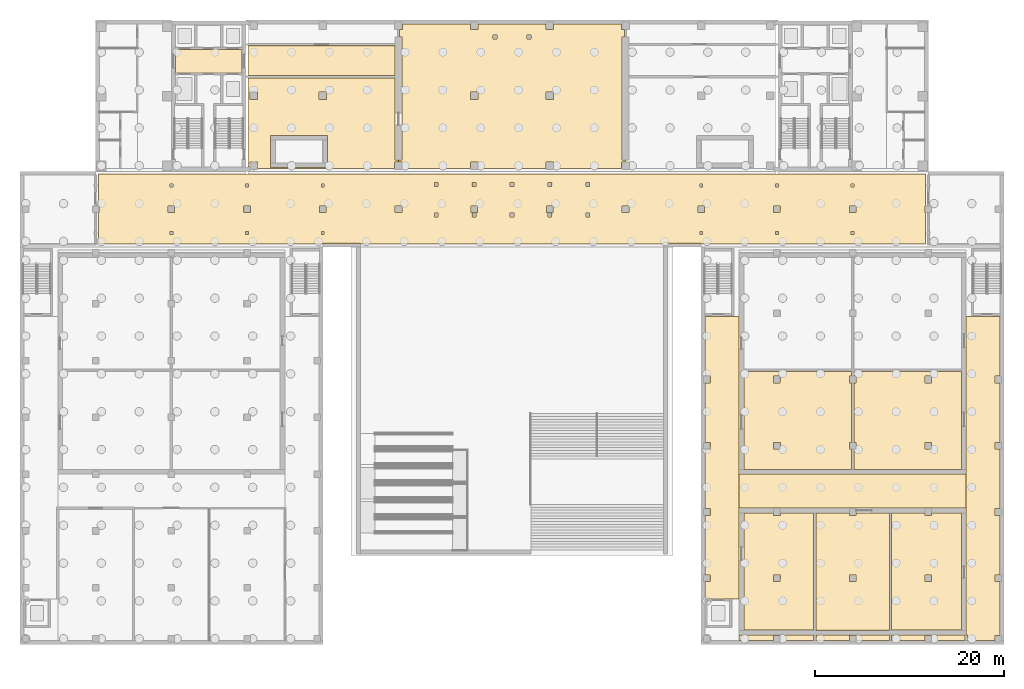
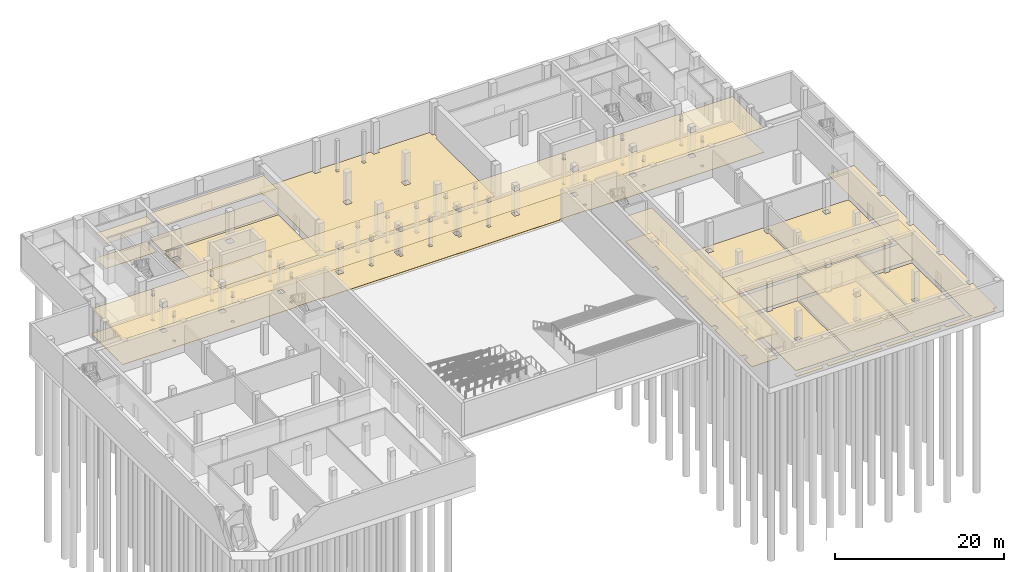
# One storey, part 15 of 21: 23 coverings.
"""IFC4 building model written with IfcOpenShell, lengths in metres."""

from ifc_helpers import new_model, si_unit, direction, frame, origin, place, context, subcontext, project, spatial, polyline, outline, extrude, material, layer, layer_set, type_object, element, save


model = new_model("IFC4")

# Units and contexts
model_context = context("Model", 3, precision=1e-05, world=origin(), true_north=direction((0.0, 1.0)))
body_context = subcontext(model_context, "Body", "Model", "MODEL_VIEW")
ifc_project = project(units=[si_unit("LENGTHUNIT", "METRE"), si_unit("AREAUNIT", "SQUARE_METRE"), si_unit("VOLUMEUNIT", "CUBIC_METRE"), si_unit("PLANEANGLEUNIT", "RADIAN"), si_unit("MASSUNIT", "GRAM", prefix="KILO")], contexts=[model_context])

# Site, building, storey
site_placement = place(None, origin())
site = spatial("IfcSite", under=ifc_project, at=site_placement, CompositionType="ELEMENT")
building_placement = place(site_placement, origin())
building = spatial("IfcBuilding", under=site, at=building_placement, Name="Lantern Court Media Centre", CompositionType="ELEMENT")
storey_placement = place(building_placement, frame((0.0, 0.0, -4.800048828125)))
storey = spatial("IfcBuildingStorey", under=building, at=storey_placement, Name="B1", CompositionType="ELEMENT", Elevation=-4.800048828125)

# Coverings
ifc_material_1 = material(Name="Carpet")
ifc_layer_1 = layer(ifc_material_1, 0.050048828125)
ifc_layer_set_1 = layer_set([ifc_layer_1], Name="Carpet")
covering_type_1 = type_object("IfcCoveringType", Name="Carpet floor finish", PredefinedType="FLOORING", material=ifc_layer_set_1)
covering_1_placement = place(storey_placement, origin())
element("IfcCovering", 1, at=covering_1_placement, inside=storey, type_object=covering_type_1, Name="Chiller Plant Room floor finish", PredefinedType="FLOORING", context=body_context, shape_type="SweptSolid", body=[
    extrude(outline(polyline([(76.5048828125, -0.4951171875), (76.5048828125, 11.89501953125), (79.64501953125, 11.89501953125), (79.64990234375, 11.64501953125), (80.3515625, 11.645263671875), (80.35498046875, 11.89501953125), (83.875, 11.89501953125), (83.875, -0.4951171875), (76.5048828125, -0.4951171875)]), holes=[polyline([(80.35009765625, 4.64501953125), (80.353515625, 5.353515625), (79.646484375, 5.353515625), (79.646484375, 4.646484375), (80.35009765625, 4.64501953125)])]), origin(), (0.0, 0.0, 1.0), 0.050048828125),
])
covering_2_placement = place(storey_placement, origin())
element("IfcCovering", 2, at=covering_2_placement, inside=storey, type_object=covering_type_1, Name="Chiller Plant Room floor finish", PredefinedType="FLOORING", context=body_context, shape_type="SweptSolid", body=[
    extrude(outline(polyline([(76.0, -1.0048828125), (83.875, -1.0048828125), (83.875, -1.594970703125), (80.35498046875, -1.594970703125), (80.35009765625, -1.044921875), (79.646728515625, -1.046142578125), (79.64501953125, -1.594970703125), (76.0, -1.594970703125), (76.0, -1.0048828125)])), origin(), (0.0, 0.0, 1.0), 0.050048828125),
])
covering_3_placement = place(storey_placement, origin())
element("IfcCovering", 3, at=covering_3_placement, inside=storey, type_object=covering_type_1, Name="Studio Hall Switchroom floor finish", PredefinedType="FLOORING", context=body_context, shape_type="SweptSolid", body=[
    extrude(outline(polyline([(84.125, -0.4951171875), (84.125, 11.89501953125), (87.64501953125, 11.89501953125), (87.64990234375, 11.64501953125), (88.3515625, 11.645263671875), (88.35498046875, 11.89501953125), (91.875, 11.89501953125), (91.875, -0.4951171875), (84.125, -0.4951171875)]), holes=[polyline([(88.35009765625, 4.64501953125), (88.353515625, 5.353515625), (87.646484375, 5.353515625), (87.646484375, 4.646484375), (88.35009765625, 4.64501953125)])]), origin(), (0.0, 0.0, 1.0), 0.050048828125),
])
covering_4_placement = place(storey_placement, origin())
element("IfcCovering", 4, at=covering_4_placement, inside=storey, type_object=covering_type_1, Name="Studio Hall Switchroom floor finish", PredefinedType="FLOORING", context=body_context, shape_type="SweptSolid", body=[
    extrude(outline(polyline([(88.35498046875, -1.594970703125), (88.35009765625, -1.044921875), (87.646728515625, -1.046142578125), (87.64501953125, -1.594970703125), (84.125, -1.594970703125), (84.125, -1.0048828125), (91.875, -1.0048828125), (91.875, -1.594970703125), (88.35498046875, -1.594970703125)])), origin(), (0.0, 0.0, 1.0), 0.050048828125),
])
covering_5_placement = place(storey_placement, origin())
element("IfcCovering", 5, at=covering_5_placement, inside=storey, type_object=covering_type_1, Name="UPS and Battery Room floor finish", PredefinedType="FLOORING", context=body_context, shape_type="SweptSolid", body=[
    extrude(outline(polyline([(99.4951171875, -0.4951171875), (92.125, -0.4951171875), (92.125, 11.89501953125), (95.64501953125, 11.89501953125), (95.64990234375, 11.64501953125), (96.3515625, 11.645263671875), (96.35498046875, 11.89501953125), (99.4951171875, 11.89501953125), (99.4951171875, -0.4951171875)]), holes=[polyline([(96.35009765625, 4.64501953125), (96.353515625, 5.353515625), (95.646484375, 5.353515625), (95.646484375, 4.646484375), (96.35009765625, 4.64501953125)])]), origin(), (0.0, 0.0, 1.0), 0.050048828125),
])
covering_6_placement = place(storey_placement, origin())
element("IfcCovering", 6, at=covering_6_placement, inside=storey, type_object=covering_type_1, Name="UPS and Battery Room floor finish", PredefinedType="FLOORING", context=body_context, shape_type="SweptSolid", body=[
    extrude(outline(polyline([(96.35498046875, -1.594970703125), (96.35009765625, -1.044921875), (95.646728515625, -1.046142578125), (95.64501953125, -1.594970703125), (92.125, -1.594970703125), (92.125, -1.0048828125), (99.875, -1.0048828125), (99.875, -1.594970703125), (96.35498046875, -1.594970703125)])), origin(), (0.0, 0.0, 1.0), 0.050048828125),
])
covering_7_placement = place(storey_placement, origin())
element("IfcCovering", 7, at=covering_7_placement, inside=storey, type_object=covering_type_1, Name="Standby Generator Hall floor finish", PredefinedType="FLOORING", context=body_context, shape_type="SweptSolid", body=[
    extrude(outline(polyline([(87.875, 26.875), (87.875, 26.35498046875), (87.64501953125, 26.35009765625), (87.645263671875, 25.6484375), (87.875, 25.64501953125), (87.875, 19.35498046875), (87.64501953125, 19.35009765625), (87.645263671875, 18.6484375), (87.875, 18.64501953125), (87.875, 16.5048828125), (76.5048828125, 16.5048828125), (76.5048828125, 26.875), (87.875, 26.875)]), holes=[polyline([(79.64501953125, 18.64990234375), (80.353515625, 18.646484375), (80.353515625, 19.353515625), (79.646484375, 19.353515625), (79.64501953125, 18.64990234375)]), polyline([(80.35009765625, 25.64501953125), (80.353515625, 26.353515625), (79.646484375, 26.353515625), (79.646484375, 25.646484375), (80.35009765625, 25.64501953125)])]), origin(), (0.0, 0.0, 1.0), 0.050048828125),
])
covering_8_placement = place(storey_placement, origin())
element("IfcCovering", 8, at=covering_8_placement, inside=storey, type_object=covering_type_1, Name="Studio Air Handling Plant Room floor finish", PredefinedType="FLOORING", context=body_context, shape_type="SweptSolid", body=[
    extrude(outline(polyline([(88.125, 18.64501953125), (88.35498046875, 18.64990234375), (88.354736328125, 19.3515625), (88.125, 19.35498046875), (88.125, 25.64501953125), (88.354736328125, 25.6484375), (88.35498046875, 26.35009765625), (88.125, 26.35498046875), (88.125, 26.875), (99.4951171875, 26.875), (99.4951171875, 16.5048828125), (88.125, 16.5048828125), (88.125, 18.64501953125)]), holes=[polyline([(96.35009765625, 18.64501953125), (96.353515625, 19.353515625), (95.646484375, 19.353515625), (95.646484375, 18.646484375), (96.35009765625, 18.64501953125)]), polyline([(96.35009765625, 25.64501953125), (96.353515625, 26.353515625), (95.646484375, 26.353515625), (95.646484375, 25.646484375), (96.35009765625, 25.64501953125)])]), origin(), (0.0, 0.0, 1.0), 0.050048828125),
])
covering_9_placement = place(storey_placement, origin())
element("IfcCovering", 9, at=covering_9_placement, inside=storey, type_object=covering_type_1, Name="Library Archive Vault floor finish", PredefinedType="FLOORING", context=body_context, shape_type="SweptSolid", body=[
    extrude(outline(polyline([(40.0, 49.0048828125), (39.595703125, 49.00244140625), (39.594970703125, 48.300048828125), (25.10498046875, 48.300048828125), (25.10009765625, 49.0048828125), (24.297607421875, 49.00439453125), (24.294921875, 48.455078125), (24.10009765625, 48.455078125), (24.10009765625, 57.85498046875), (39.64501953125, 57.85498046875), (39.64501953125, 49.199951171875), (40.0, 49.195068359375), (40.0, 49.0048828125)]), holes=[polyline([(26.4951171875, 48.39990234375), (32.50244140625, 48.3955078125), (32.50439453125, 51.80224609375), (26.49755859375, 51.804443359375), (26.4951171875, 48.39990234375)]), polyline([(31.594970703125, 55.60009765625), (32.403564453125, 55.596435546875), (32.403564453125, 56.403564453125), (31.596435546875, 56.403564453125), (31.594970703125, 55.60009765625)]), polyline([(25.10009765625, 55.594970703125), (25.103515625, 56.403564453125), (24.29638671875, 56.403564453125), (24.29638671875, 55.596435546875), (25.10009765625, 55.594970703125)])]), origin(), (0.0, 0.0, 1.0), 0.050048828125),
])
ifc_material_2 = material(Name="Stone", Category="masonry")
ifc_layer_2 = layer(ifc_material_2, 0.050048828125)
ifc_layer_set_2 = layer_set([ifc_layer_2], Name="Stone")
covering_type_2 = type_object("IfcCoveringType", Name="Stone floor finish", PredefinedType="FLOORING", material=ifc_layer_set_2)
covering_10_placement = place(storey_placement, origin())
element("IfcCovering", 10, at=covering_10_placement, inside=storey, type_object=covering_type_2, Name="Metro Link Hall floor finish", PredefinedType="FLOORING", context=body_context, shape_type="SweptSolid", body=[
    extrude(outline(polyline([(64.0, 49.0048828125), (63.595703125, 49.00244140625), (63.594970703125, 48.300048828125), (56.405029296875, 48.300048828125), (56.39990234375, 49.0048828125), (55.596923828125, 49.00390625), (55.594970703125, 48.300048828125), (48.405029296875, 48.300048828125), (48.39990234375, 49.0048828125), (47.596923828125, 49.00390625), (47.594970703125, 48.300048828125), (40.405029296875, 48.300048828125), (40.404296875, 49.00244140625), (40.0, 49.0048828125), (40.0, 49.195068359375), (40.35498046875, 49.199951171875), (40.35498046875, 62.199951171875), (40.125, 62.205078125), (40.125, 62.9951171875), (40.404541015625, 62.998046875), (40.405029296875, 63.594970703125), (47.594970703125, 63.594970703125), (47.60009765625, 62.9951171875), (48.403076171875, 62.99609375), (48.405029296875, 63.594970703125), (55.594970703125, 63.594970703125), (55.60009765625, 62.9951171875), (56.403076171875, 62.99609375), (56.405029296875, 63.594970703125), (63.594970703125, 63.594970703125), (63.595458984375, 62.998046875), (63.875, 62.9951171875), (63.875, 62.205078125), (63.64501953125, 62.199951171875), (63.64501953125, 49.199951171875), (64.0, 49.195068359375), (64.0, 49.0048828125)]), holes=[polyline([(56.39990234375, 55.594970703125), (56.403564453125, 56.403564453125), (55.596435546875, 56.403564453125), (55.596435546875, 55.596435546875), (56.39990234375, 55.594970703125)]), polyline([(54.0, 61.9951171875), (54.00341796875, 62.403564453125), (53.596435546875, 62.403564453125), (53.596435546875, 61.99658203125), (54.0, 61.9951171875)]), polyline([(50.39990234375, 61.9951171875), (50.403564453125, 62.403564453125), (49.99658203125, 62.403564453125), (49.99658203125, 61.99658203125), (50.39990234375, 61.9951171875)]), polyline([(47.594970703125, 55.60009765625), (48.403564453125, 55.596435546875), (48.403564453125, 56.403564453125), (47.596435546875, 56.403564453125), (47.594970703125, 55.60009765625)])]), origin(), (0.0, 0.0, 1.0), 0.050048828125),
])
ifc_material_3 = material(Name="Mineral fibre ceiling tile")
ifc_layer_3 = layer(ifc_material_3, 0.02001953125)
ifc_layer_set_3 = layer_set([ifc_layer_3], Name="Mineral fibre ceiling tile")
covering_type_3 = type_object("IfcCoveringType", Name="Suspended ceiling tile", PredefinedType="CEILING", material=ifc_layer_set_3)
covering_11_placement = place(storey_placement, frame((0.0, 0.0, 3.60009765625)))
element("IfcCovering", 11, at=covering_11_placement, inside=storey, type_object=covering_type_3, Name="Lift Lobby ceiling", PredefinedType="CEILING", context=body_context, shape_type="SweptSolid", body=[
    extrude(outline(polyline([(23.449462890625, 60.8994140625), (23.449462890625, 58.400390625), (16.450439453125, 58.400390625), (16.450439453125, 60.8994140625), (23.449462890625, 60.8994140625)])), origin(), (0.0, 0.0, 1.0), 0.02001953125),
])
covering_12_placement = place(storey_placement, frame((0.0, 0.0, 3.60009765625)))
element("IfcCovering", 12, at=covering_12_placement, inside=storey, type_object=covering_type_3, Name="Plant Corridor ceiling", PredefinedType="CEILING", context=body_context, shape_type="SweptSolid", body=[
    extrude(outline(polyline([(75.99951171875, 32.64990234375), (75.99951171875, 2.800048828125), (72.400390625, 2.800537109375), (72.400390625, 4.6494140625), (72.950439453125, 4.64990234375), (72.950439453125, 5.350341796875), (72.400390625, 5.3505859375), (72.400390625, 11.6494140625), (72.950439453125, 11.64990234375), (72.950439453125, 12.350341796875), (72.400390625, 12.3505859375), (72.400390625, 18.6494140625), (72.950439453125, 18.64990234375), (72.950439453125, 19.350341796875), (72.400390625, 19.3505859375), (72.400390625, 25.6494140625), (72.950439453125, 25.64990234375), (72.950439453125, 26.350341796875), (72.400390625, 26.3505859375), (72.400390625, 32.64990234375), (75.99951171875, 32.64990234375)])), origin(), (0.0, 0.0, 1.0), 0.02001953125),
])
covering_13_placement = place(storey_placement, frame((0.0, 0.0, 3.60009765625)))
element("IfcCovering", 13, at=covering_13_placement, inside=storey, type_object=covering_type_3, Name="Plant Corridor ceiling", PredefinedType="CEILING", context=body_context, shape_type="SweptSolid", body=[
    extrude(outline(polyline([(100.0, 12.400390625), (76.0, 12.400390625), (76.0, 15.99951171875), (100.0, 15.99951171875), (100.0, 12.400390625)])), origin(), (0.0, 0.0, 1.0), 0.02001953125),
])
covering_14_placement = place(storey_placement, frame((0.0, 0.0, 3.60009765625)))
element("IfcCovering", 14, at=covering_14_placement, inside=storey, type_object=covering_type_3, Name="Studio Hall Switchroom ceiling", PredefinedType="CEILING", context=body_context, shape_type="SweptSolid", body=[
    extrude(outline(polyline([(84.12060546875, -0.49951171875), (84.12060546875, 11.8994140625), (87.6494140625, 11.8994140625), (87.64990234375, 11.6494140625), (88.35009765625, 11.6494140625), (88.3505859375, 11.8994140625), (91.87939453125, 11.8994140625), (91.87939453125, -0.49951171875), (84.12060546875, -0.49951171875)]), holes=[polyline([(88.3505859375, 5.35009765625), (87.649658203125, 5.350341796875), (87.649658203125, 4.649658203125), (88.350341796875, 4.649658203125), (88.3505859375, 5.35009765625)])]), origin(), (0.0, 0.0, 1.0), 0.02001953125),
])
covering_15_placement = place(storey_placement, frame((0.0, 0.0, 3.60009765625)))
element("IfcCovering", 15, at=covering_15_placement, inside=storey, type_object=covering_type_3, Name="Studio Hall Switchroom ceiling", PredefinedType="CEILING", context=body_context, shape_type="SweptSolid", body=[
    extrude(outline(polyline([(92.0, -1.599609375), (88.3505859375, -1.599609375), (88.35009765625, -1.049560546875), (87.649658203125, -1.049560546875), (87.6494140625, -1.599609375), (84.0, -1.599609375), (84.12060546875, -1.594970703125), (84.12060546875, -1.0048828125), (84.0, -1.00048828125), (92.0, -1.00048828125), (91.87939453125, -1.0048828125), (91.87939453125, -1.59521484375), (92.0, -1.599609375)])), origin(), (0.0, 0.0, 1.0), 0.02001953125),
])
covering_16_placement = place(storey_placement, frame((0.0, 0.0, 3.60009765625)))
element("IfcCovering", 16, at=covering_16_placement, inside=storey, type_object=covering_type_3, Name="Metro Link Gallery ceiling", PredefinedType="CEILING", context=body_context, shape_type="SweptSolid", body=[
    extrude(outline(polyline([(95.699951171875, 40.300048828125), (72.00048828125, 40.300048828125), (72.0, 40.400390625), (68.0, 40.400390625), (67.99951171875, 40.300048828125), (36.00048828125, 40.300048828125), (36.0, 40.400390625), (32.0, 40.400390625), (31.99951171875, 40.300048828125), (8.300048828125, 40.300048828125), (8.300048828125, 43.6494140625), (8.3505859375, 43.64990234375), (8.3505859375, 44.35009765625), (8.300048828125, 44.3505859375), (8.300048828125, 47.699951171875), (95.699951171875, 47.699951171875), (95.699951171875, 44.3505859375), (95.6494140625, 44.35009765625), (95.6494140625, 43.64990234375), (95.699951171875, 43.6494140625), (95.699951171875, 40.300048828125)]), holes=[polyline([(88.3505859375, 44.35009765625), (87.649658203125, 44.350341796875), (87.649658203125, 43.649658203125), (88.350341796875, 43.649658203125), (88.3505859375, 44.35009765625)]), polyline([(88.150390625, 46.64990234375), (87.849609375, 46.650390625), (87.849609375, 46.349609375), (88.150390625, 46.349609375), (88.150390625, 46.64990234375)]), polyline([(88.150390625, 41.64990234375), (87.849609375, 41.650390625), (87.849609375, 41.349609375), (88.150390625, 41.349609375), (88.150390625, 41.64990234375)]), polyline([(80.3505859375, 44.35009765625), (79.649658203125, 44.350341796875), (79.649658203125, 43.649658203125), (80.350341796875, 43.649658203125), (80.3505859375, 44.35009765625)]), polyline([(80.150390625, 41.64990234375), (79.849609375, 41.650390625), (79.849609375, 41.349609375), (80.150390625, 41.349609375), (80.150390625, 41.64990234375)]), polyline([(80.150390625, 46.64990234375), (79.849609375, 46.650390625), (79.849609375, 46.349609375), (80.150390625, 46.349609375), (80.150390625, 46.64990234375)]), polyline([(72.3505859375, 44.35009765625), (71.649658203125, 44.350341796875), (71.649658203125, 43.649658203125), (72.350341796875, 43.649658203125), (72.3505859375, 44.35009765625)]), polyline([(72.14990234375, 46.349609375), (72.150390625, 46.650390625), (71.849609375, 46.650390625), (71.849609375, 46.349609375), (72.14990234375, 46.349609375)]), polyline([(72.150390625, 41.64990234375), (71.849609375, 41.650390625), (71.849609375, 41.349609375), (72.150390625, 41.349609375), (72.150390625, 41.64990234375)]), polyline([(64.3505859375, 44.35009765625), (63.649658203125, 44.350341796875), (63.649658203125, 43.649658203125), (64.350341796875, 43.649658203125), (64.3505859375, 44.35009765625)]), polyline([(60.200439453125, 46.800048828125), (59.799560546875, 46.80029296875), (59.799560546875, 46.399658203125), (60.200439453125, 46.399658203125), (60.200439453125, 46.800048828125)]), polyline([(60.200439453125, 43.60009765625), (59.799560546875, 43.600341796875), (59.799560546875, 43.19970703125), (60.200439453125, 43.19970703125), (60.200439453125, 43.60009765625)]), polyline([(56.3505859375, 44.35009765625), (55.649658203125, 44.350341796875), (55.649658203125, 43.649658203125), (56.350341796875, 43.649658203125), (56.3505859375, 44.35009765625)]), polyline([(56.200439453125, 43.60009765625), (55.799560546875, 43.600341796875), (55.799560546875, 43.19970703125), (56.200439453125, 43.19970703125), (56.200439453125, 43.60009765625)]), polyline([(56.200439453125, 46.800048828125), (55.799560546875, 46.80029296875), (55.799560546875, 46.399658203125), (56.200439453125, 46.399658203125), (56.200439453125, 46.800048828125)]), polyline([(52.200439453125, 43.60009765625), (51.799560546875, 43.600341796875), (51.799560546875, 43.19970703125), (52.200439453125, 43.19970703125), (52.200439453125, 43.60009765625)]), polyline([(52.199951171875, 46.3994140625), (52.200439453125, 46.80029296875), (51.799560546875, 46.80029296875), (51.799560546875, 46.399658203125), (52.199951171875, 46.3994140625)]), polyline([(48.3505859375, 44.35009765625), (47.649658203125, 44.350341796875), (47.649658203125, 43.649658203125), (48.350341796875, 43.649658203125), (48.3505859375, 44.35009765625)]), polyline([(48.200439453125, 43.60009765625), (47.799560546875, 43.600341796875), (47.799560546875, 43.19970703125), (48.200439453125, 43.19970703125), (48.200439453125, 43.60009765625)]), polyline([(48.199951171875, 46.3994140625), (48.200439453125, 46.80029296875), (47.799560546875, 46.80029296875), (47.799560546875, 46.399658203125), (48.199951171875, 46.3994140625)]), polyline([(44.200439453125, 46.800048828125), (43.799560546875, 46.80029296875), (43.799560546875, 46.399658203125), (44.200439453125, 46.399658203125), (44.200439453125, 46.800048828125)]), polyline([(44.200439453125, 43.60009765625), (43.799560546875, 43.600341796875), (43.799560546875, 43.19970703125), (44.200439453125, 43.19970703125), (44.200439453125, 43.60009765625)]), polyline([(40.3505859375, 44.35009765625), (39.649658203125, 44.350341796875), (39.649658203125, 43.649658203125), (40.350341796875, 43.649658203125), (40.3505859375, 44.35009765625)]), polyline([(32.3505859375, 44.35009765625), (31.649658203125, 44.350341796875), (31.649658203125, 43.649658203125), (32.350341796875, 43.649658203125), (32.3505859375, 44.35009765625)]), polyline([(32.150390625, 46.64990234375), (31.849609375, 46.650390625), (31.849609375, 46.349609375), (32.150390625, 46.349609375), (32.150390625, 46.64990234375)]), polyline([(32.14990234375, 41.349609375), (32.150390625, 41.650390625), (31.849609375, 41.650390625), (31.849609375, 41.349609375), (32.14990234375, 41.349609375)]), polyline([(24.3505859375, 44.35009765625), (23.649658203125, 44.350341796875), (23.649658203125, 43.649658203125), (24.350341796875, 43.649658203125), (24.3505859375, 44.35009765625)]), polyline([(24.150390625, 46.64990234375), (23.849609375, 46.650390625), (23.849609375, 46.349609375), (24.150390625, 46.349609375), (24.150390625, 46.64990234375)]), polyline([(24.150390625, 41.64990234375), (23.849609375, 41.650390625), (23.849609375, 41.349609375), (24.150390625, 41.349609375), (24.150390625, 41.64990234375)]), polyline([(16.3505859375, 44.35009765625), (15.649658203125, 44.350341796875), (15.649658203125, 43.649658203125), (16.350341796875, 43.649658203125), (16.3505859375, 44.35009765625)]), polyline([(16.150390625, 46.64990234375), (15.849609375, 46.650390625), (15.849609375, 46.349609375), (16.150390625, 46.349609375), (16.150390625, 46.64990234375)]), polyline([(16.150390625, 41.64990234375), (15.849609375, 41.650390625), (15.849609375, 41.349609375), (16.150390625, 41.349609375), (16.150390625, 41.64990234375)])]), origin(), (0.0, 0.0, 1.0), 0.02001953125),
])
covering_17_placement = place(storey_placement, frame((0.0, 0.0, 3.60009765625)))
element("IfcCovering", 17, at=covering_17_placement, inside=storey, type_object=covering_type_3, Name="Archive Corridor ceiling", PredefinedType="CEILING", context=body_context, shape_type="SweptSolid", body=[
    extrude(outline(polyline([(24.10009765625, 61.279541015625), (39.6494140625, 61.279541015625), (39.6494140625, 58.140380859375), (24.10009765625, 58.140380859375), (24.10009765625, 61.279541015625)])), origin(), (0.0, 0.0, 1.0), 0.02001953125),
])
ifc_material_4 = material(Name="Terrazzo")
ifc_layer_4 = layer(ifc_material_4, 0.050048828125)
ifc_layer_set_4 = layer_set([ifc_layer_4], Name="Terrazzo")
covering_type_4 = type_object("IfcCoveringType", Name="Terrazzo floor finish", PredefinedType="FLOORING", material=ifc_layer_set_4)
covering_18_placement = place(storey_placement, origin())
element("IfcCovering", 18, at=covering_18_placement, inside=storey, type_object=covering_type_4, Name="Lift Lobby floor finish", PredefinedType="FLOORING", context=body_context, shape_type="SweptSolid", body=[
    extrude(outline(polyline([(23.445068359375, 60.89501953125), (23.445068359375, 58.405029296875), (16.455078125, 58.405029296875), (16.455078125, 60.89501953125), (23.445068359375, 60.89501953125)])), origin(), (0.0, 0.0, 1.0), 0.050048828125),
])
covering_19_placement = place(storey_placement, origin())
element("IfcCovering", 19, at=covering_19_placement, inside=storey, type_object=covering_type_4, Name="Plant Corridor floor finish", PredefinedType="FLOORING", context=body_context, shape_type="SweptSolid", body=[
    extrude(outline(polyline([(75.9951171875, 32.64990234375), (75.9951171875, 2.800048828125), (72.405029296875, 2.804931640625), (72.405029296875, 4.64501953125), (72.955078125, 4.64990234375), (72.953857421875, 5.353271484375), (72.405029296875, 5.35498046875), (72.405029296875, 11.64501953125), (72.955078125, 11.64990234375), (72.953857421875, 12.353271484375), (72.405029296875, 12.35498046875), (72.405029296875, 18.64501953125), (72.955078125, 18.64990234375), (72.953857421875, 19.353271484375), (72.405029296875, 19.35498046875), (72.405029296875, 25.64501953125), (72.955078125, 25.64990234375), (72.953857421875, 26.353271484375), (72.405029296875, 26.35498046875), (72.405029296875, 32.64990234375), (75.9951171875, 32.64990234375)])), origin(), (0.0, 0.0, 1.0), 0.050048828125),
])
covering_20_placement = place(storey_placement, origin())
element("IfcCovering", 20, at=covering_20_placement, inside=storey, type_object=covering_type_4, Name="Plant Corridor floor finish", PredefinedType="FLOORING", context=body_context, shape_type="SweptSolid", body=[
    extrude(outline(polyline([(103.594970703125, 32.64990234375), (103.594970703125, 26.35498046875), (103.044921875, 26.35009765625), (103.046142578125, 25.646728515625), (103.594970703125, 25.64501953125), (103.594970703125, 19.35498046875), (103.044921875, 19.35009765625), (103.046142578125, 18.646728515625), (103.594970703125, 18.64501953125), (103.594970703125, 12.35498046875), (103.044921875, 12.35009765625), (103.046142578125, 11.646728515625), (103.594970703125, 11.64501953125), (103.594970703125, 5.35498046875), (103.044921875, 5.35009765625), (103.046142578125, 4.646728515625), (103.594970703125, 4.64501953125), (103.594970703125, -1.044921875), (103.04638671875, -1.04638671875), (103.044921875, -1.594970703125), (100.125, -1.594970703125), (100.125, -1.00390625), (100.0048828125, -1.0), (100.0048828125, 32.64990234375), (103.594970703125, 32.64990234375)])), origin(), (0.0, 0.0, 1.0), 0.050048828125),
])
covering_21_placement = place(storey_placement, origin())
element("IfcCovering", 21, at=covering_21_placement, inside=storey, type_object=covering_type_4, Name="Plant Corridor floor finish", PredefinedType="FLOORING", context=body_context, shape_type="SweptSolid", body=[
    extrude(outline(polyline([(100.0, 12.405029296875), (76.0, 12.405029296875), (76.0, 15.9951171875), (100.0, 15.9951171875), (100.0, 12.405029296875)])), origin(), (0.0, 0.0, 1.0), 0.050048828125),
])
covering_22_placement = place(storey_placement, origin())
element("IfcCovering", 22, at=covering_22_placement, inside=storey, type_object=covering_type_4, Name="Metro Link Gallery floor finish", PredefinedType="FLOORING", context=body_context, shape_type="SweptSolid", body=[
    extrude(outline(polyline([(95.699951171875, 40.300048828125), (72.0048828125, 40.300048828125), (72.0, 40.405029296875), (68.0, 40.405029296875), (67.9951171875, 40.300048828125), (36.0048828125, 40.300048828125), (36.0, 40.405029296875), (32.0, 40.405029296875), (31.9951171875, 40.300048828125), (8.300048828125, 40.300048828125), (8.300048828125, 43.64501953125), (8.35498046875, 43.64990234375), (8.35498046875, 44.3505859375), (8.300048828125, 44.35498046875), (8.300048828125, 47.699951171875), (95.699951171875, 47.699951171875), (95.699951171875, 44.35498046875), (95.64501953125, 44.35009765625), (95.64501953125, 43.6494140625), (95.699951171875, 43.64501953125), (95.699951171875, 40.300048828125)]), holes=[polyline([(88.35009765625, 43.64501953125), (88.353515625, 44.353515625), (87.646484375, 44.353515625), (87.646484375, 43.646484375), (88.35009765625, 43.64501953125)]), polyline([(88.14990234375, 46.344970703125), (88.153564453125, 46.653564453125), (87.846435546875, 46.653564453125), (87.846435546875, 46.346435546875), (88.14990234375, 46.344970703125)]), polyline([(88.14990234375, 41.344970703125), (88.153564453125, 41.653564453125), (87.846435546875, 41.653564453125), (87.846435546875, 41.346435546875), (88.14990234375, 41.344970703125)]), polyline([(80.35009765625, 43.64501953125), (80.353515625, 44.353515625), (79.646484375, 44.353515625), (79.646484375, 43.646484375), (80.35009765625, 43.64501953125)]), polyline([(80.14990234375, 41.344970703125), (80.153564453125, 41.653564453125), (79.846435546875, 41.653564453125), (79.846435546875, 41.346435546875), (80.14990234375, 41.344970703125)]), polyline([(80.14990234375, 46.344970703125), (80.153564453125, 46.653564453125), (79.846435546875, 46.653564453125), (79.846435546875, 46.346435546875), (80.14990234375, 46.344970703125)]), polyline([(72.35009765625, 43.64501953125), (72.353515625, 44.353515625), (71.646484375, 44.353515625), (71.646484375, 43.646484375), (72.35009765625, 43.64501953125)]), polyline([(71.844970703125, 46.35009765625), (72.153564453125, 46.346435546875), (72.153564453125, 46.653564453125), (71.846435546875, 46.653564453125), (71.844970703125, 46.35009765625)]), polyline([(72.14990234375, 41.344970703125), (72.153564453125, 41.653564453125), (71.846435546875, 41.653564453125), (71.846435546875, 41.346435546875), (72.14990234375, 41.344970703125)]), polyline([(64.35009765625, 43.64501953125), (64.353515625, 44.353515625), (63.646484375, 44.353515625), (63.646484375, 43.646484375), (64.35009765625, 43.64501953125)]), polyline([(60.199951171875, 46.39501953125), (60.20361328125, 46.803466796875), (59.79638671875, 46.803466796875), (59.79638671875, 46.396484375), (60.199951171875, 46.39501953125)]), polyline([(60.199951171875, 43.195068359375), (60.20361328125, 43.603515625), (59.79638671875, 43.603515625), (59.79638671875, 43.196533203125), (60.199951171875, 43.195068359375)]), polyline([(56.35009765625, 43.64501953125), (56.353515625, 44.353515625), (55.646484375, 44.353515625), (55.646484375, 43.646484375), (56.35009765625, 43.64501953125)]), polyline([(56.199951171875, 46.39501953125), (56.20361328125, 46.803466796875), (55.79638671875, 46.803466796875), (55.79638671875, 46.396484375), (56.199951171875, 46.39501953125)]), polyline([(56.199951171875, 43.195068359375), (56.20361328125, 43.603515625), (55.79638671875, 43.603515625), (55.79638671875, 43.196533203125), (56.199951171875, 43.195068359375)]), polyline([(51.794921875, 46.39990234375), (52.20361328125, 46.396484375), (52.20361328125, 46.803466796875), (51.79638671875, 46.803466796875), (51.794921875, 46.39990234375)]), polyline([(52.199951171875, 43.195068359375), (52.20361328125, 43.603515625), (51.79638671875, 43.603515625), (51.79638671875, 43.196533203125), (52.199951171875, 43.195068359375)]), polyline([(48.35009765625, 43.64501953125), (48.353515625, 44.353515625), (47.646484375, 44.353515625), (47.646484375, 43.646484375), (48.35009765625, 43.64501953125)]), polyline([(48.199951171875, 43.195068359375), (48.20361328125, 43.603515625), (47.79638671875, 43.603515625), (47.79638671875, 43.196533203125), (48.199951171875, 43.195068359375)]), polyline([(47.794921875, 46.39990234375), (48.20361328125, 46.396484375), (48.20361328125, 46.803466796875), (47.79638671875, 46.803466796875), (47.794921875, 46.39990234375)]), polyline([(44.199951171875, 46.39501953125), (44.20361328125, 46.803466796875), (43.79638671875, 46.803466796875), (43.79638671875, 46.396484375), (44.199951171875, 46.39501953125)]), polyline([(44.199951171875, 43.195068359375), (44.20361328125, 43.603515625), (43.79638671875, 43.603515625), (43.79638671875, 43.196533203125), (44.199951171875, 43.195068359375)]), polyline([(40.35009765625, 43.64501953125), (40.353515625, 44.353515625), (39.646484375, 44.353515625), (39.646484375, 43.646484375), (40.35009765625, 43.64501953125)]), polyline([(32.35009765625, 43.64501953125), (32.353515625, 44.353515625), (31.646484375, 44.353515625), (31.646484375, 43.646484375), (32.35009765625, 43.64501953125)]), polyline([(32.14990234375, 46.344970703125), (32.153564453125, 46.653564453125), (31.846435546875, 46.653564453125), (31.846435546875, 46.346435546875), (32.14990234375, 46.344970703125)]), polyline([(31.844970703125, 41.35009765625), (32.153564453125, 41.346435546875), (32.153564453125, 41.653564453125), (31.846435546875, 41.653564453125), (31.844970703125, 41.35009765625)]), polyline([(24.35009765625, 43.64501953125), (24.353515625, 44.353515625), (23.646484375, 44.353515625), (23.646484375, 43.646484375), (24.35009765625, 43.64501953125)]), polyline([(24.14990234375, 46.344970703125), (24.153564453125, 46.653564453125), (23.846435546875, 46.653564453125), (23.846435546875, 46.346435546875), (24.14990234375, 46.344970703125)]), polyline([(24.14990234375, 41.344970703125), (24.153564453125, 41.653564453125), (23.846435546875, 41.653564453125), (23.846435546875, 41.346435546875), (24.14990234375, 41.344970703125)]), polyline([(16.35009765625, 43.64501953125), (16.353515625, 44.353515625), (15.646484375, 44.353515625), (15.646484375, 43.646484375), (16.35009765625, 43.64501953125)]), polyline([(16.14990234375, 46.344970703125), (16.153564453125, 46.653564453125), (15.846435546875, 46.653564453125), (15.846435546875, 46.346435546875), (16.14990234375, 46.344970703125)]), polyline([(16.14990234375, 41.344970703125), (16.153564453125, 41.653564453125), (15.846435546875, 41.653564453125), (15.846435546875, 41.346435546875), (16.14990234375, 41.344970703125)])]), origin(), (0.0, 0.0, 1.0), 0.050048828125),
])
covering_23_placement = place(storey_placement, origin())
element("IfcCovering", 23, at=covering_23_placement, inside=storey, type_object=covering_type_4, Name="Archive Corridor floor finish", PredefinedType="FLOORING", context=body_context, shape_type="SweptSolid", body=[
    extrude(outline(polyline([(24.10009765625, 61.27490234375), (39.64501953125, 61.27490234375), (39.64501953125, 58.14501953125), (24.10009765625, 58.14501953125), (24.10009765625, 61.27490234375)])), origin(), (0.0, 0.0, 1.0), 0.050048828125),
])

save(model, "model.ifc")
